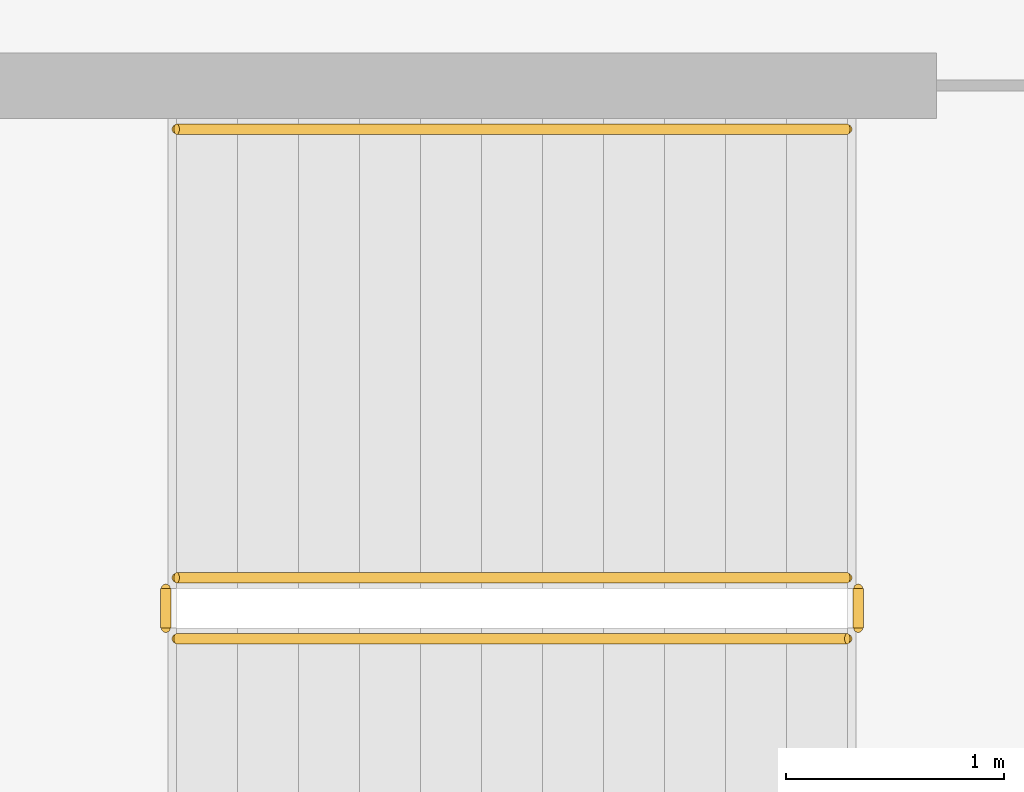
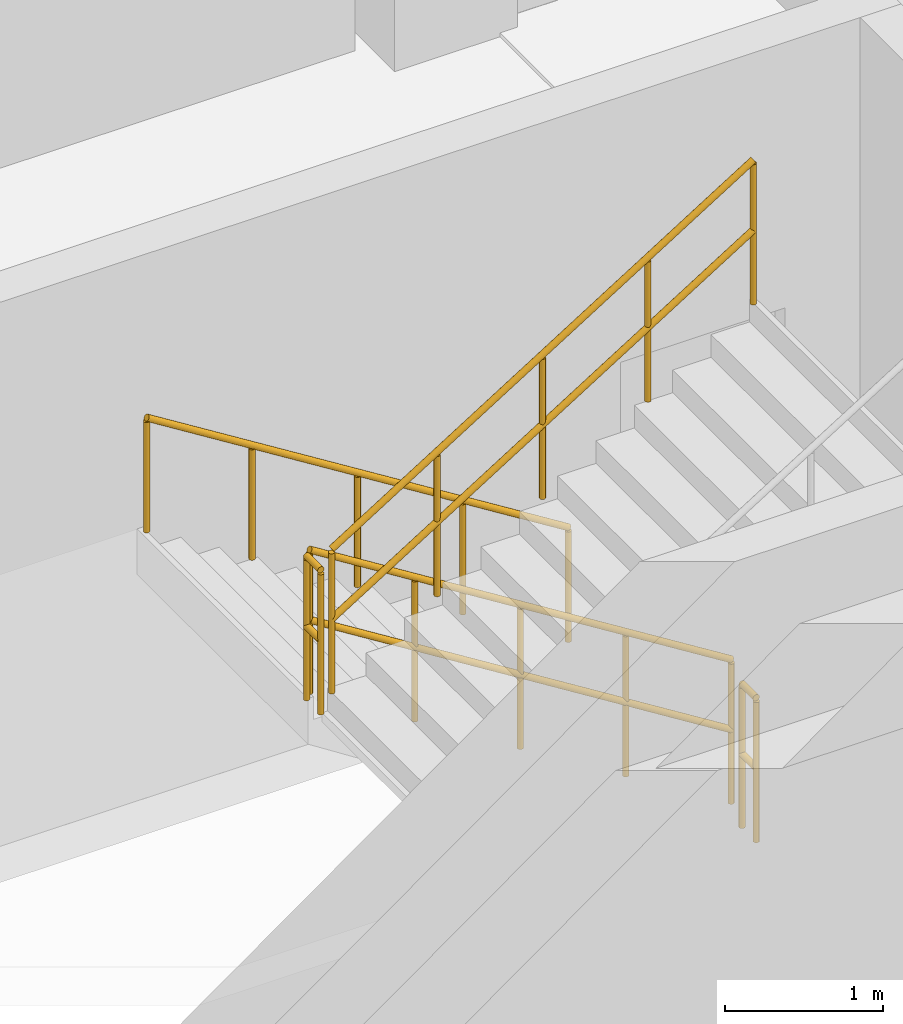
# One storey, part 90 of 100: 5 railings.
"""IFC4 building model written with IfcOpenShell, lengths in metres."""

from ifc_helpers import new_model, si_unit, direction, frame, origin, origin_2d, place, context, subcontext, project, spatial, circle, extrude, material, layer, layer_set, type_object, element, save


model = new_model("IFC4")

# Units and contexts
model_context = context("Model", 3, precision=1e-05, world=origin(), true_north=direction((0.0, 1.0)))
body_context = subcontext(model_context, "Body", "Model", "MODEL_VIEW")
ifc_project = project(units=[si_unit("LENGTHUNIT", "METRE"), si_unit("AREAUNIT", "SQUARE_METRE"), si_unit("VOLUMEUNIT", "CUBIC_METRE"), si_unit("PLANEANGLEUNIT", "RADIAN"), si_unit("MASSUNIT", "GRAM", prefix="KILO")], contexts=[model_context])

# Site, building, storey
site_placement = place(None, origin())
site = spatial("IfcSite", under=ifc_project, at=site_placement, CompositionType="ELEMENT")
building_placement = place(site_placement, origin())
building = spatial("IfcBuilding", under=site, at=building_placement, Name="Kivolera Central Railway Station", CompositionType="ELEMENT")
storey_placement = place(building_placement, frame((0.0, 0.0, 5.39990234375)))
storey = spatial("IfcBuildingStorey", under=building, at=storey_placement, Name="L01", CompositionType="ELEMENT", Elevation=5.39990234375)

# Railings
ifc_material = material(Name="Anodised aluminium", Category="aluminium")
ifc_layer_1 = layer(ifc_material, 0.048095703125, Name="Anodised aluminium")
ifc_layer_set_1 = layer_set([ifc_layer_1], Name="Anodised aluminium")
railing_type_1 = type_object("IfcRailingType", Name="RL-STAIR-GUARD", PredefinedType="GUARDRAIL", material=ifc_layer_set_1)
railing_1_placement = place(storey_placement, frame((125.239990234375, 57.2900390625, 0.175048828125)))
element("IfcRailing", 1, at=railing_1_placement, inside=storey, type_object=railing_type_1, Name="L01 ST4 stair guard 1", PredefinedType="GUARDRAIL", context=body_context, shape_type="SweptSolid", body=[
    extrude(circle(Radius=0.02392578125, at=origin_2d()), frame((0.0, 0.0, 1.10595703125), z_axis=(-0.847998304005, 0.0, 0.529998940003), x_axis=(0.0, -1.0, 0.0)), (0.0, 0.0, 1.0), 3.632080078125),
    extrude(circle(Radius=0.02392578125, at=origin_2d()), frame((0.0, 0.0, 0.56494140625), z_axis=(-0.847998304005, 0.0, 0.529998940003), x_axis=(0.0, -1.0, 0.0)), (0.0, 0.0, 1.0), 3.632080078125),
    extrude(circle(Radius=0.02099609375, at=origin_2d()), origin(), (0.0, 0.0, 1.0), 1.081787109375),
    extrude(circle(Radius=0.02099609375, at=origin_2d()), frame((-0.77001953125, 0.0, 0.481201171875)), (0.0, 0.0, 1.0), 1.081787109375),
    extrude(circle(Radius=0.02099609375, at=origin_2d()), frame((-1.5400390625, 0.0, 0.96240234375)), (0.0, 0.0, 1.0), 1.081787109375),
    extrude(circle(Radius=0.02099609375, at=origin_2d()), frame((-2.31005859375, 0.0, 1.44384765625)), (0.0, 0.0, 1.0), 1.081787109375),
    extrude(circle(Radius=0.02099609375, at=origin_2d()), frame((-3.080078125, 0.0, 1.925048828125)), (0.0, 0.0, 1.0), 1.081787109375),
])
railing_2_placement = place(storey_placement, frame((122.110107421875, 57.239990234375, 2.10009765625)))
element("IfcRailing", 2, at=railing_2_placement, inside=storey, type_object=railing_type_1, Name="L01 ST4 stair guard 2", PredefinedType="GUARDRAIL", context=body_context, shape_type="SweptSolid", body=[
    extrude(circle(Radius=0.02392578125, at=origin_2d()), frame((0.0, 0.0, 1.10595703125), z_axis=(0.0, -1.0, 0.0), x_axis=(1.0, 0.0, 0.0)), (0.0, 0.0, 1.0), 0.179931640625),
    extrude(circle(Radius=0.02392578125, at=origin_2d()), frame((0.0, 0.0, 0.56494140625), z_axis=(0.0, -1.0, 0.0), x_axis=(1.0, 0.0, 0.0)), (0.0, 0.0, 1.0), 0.179931640625),
    extrude(circle(Radius=0.02099609375, at=origin_2d()), origin(), (0.0, 0.0, 1.0), 1.081787109375),
    extrude(circle(Radius=0.02099609375, at=origin_2d()), frame((0.0, -0.179931640625, 0.0)), (0.0, 0.0, 1.0), 1.081787109375),
])
railing_3_placement = place(storey_placement, frame((122.159912109375, 57.010009765625, 2.275146484375)))
element("IfcRailing", 3, at=railing_3_placement, inside=storey, type_object=railing_type_1, Name="L01 ST4 stair guard 3", PredefinedType="GUARDRAIL", context=body_context, shape_type="SweptSolid", body=[
    extrude(circle(Radius=0.02392578125, at=origin_2d()), frame((0.0, 0.0, 1.10595703125), z_axis=(0.847998304005, 0.0, 0.529998940003), x_axis=(0.0, 1.0, 0.0)), (0.0, 0.0, 1.0), 3.632080078125),
    extrude(circle(Radius=0.02392578125, at=origin_2d()), frame((0.0, 0.0, 0.56494140625), z_axis=(0.847998304005, 0.0, 0.529998940003), x_axis=(0.0, 1.0, 0.0)), (0.0, 0.0, 1.0), 3.632080078125),
    extrude(circle(Radius=0.02099609375, at=origin_2d()), origin(), (0.0, 0.0, 1.0), 1.081787109375),
    extrude(circle(Radius=0.02099609375, at=origin_2d()), frame((0.77001953125, 0.0, 0.481201171875)), (0.0, 0.0, 1.0), 1.081787109375),
    extrude(circle(Radius=0.02099609375, at=origin_2d()), frame((1.5400390625, 0.0, 0.96240234375)), (0.0, 0.0, 1.0), 1.081787109375),
    extrude(circle(Radius=0.02099609375, at=origin_2d()), frame((2.31005859375, 0.0, 1.44384765625)), (0.0, 0.0, 1.0), 1.081787109375),
    extrude(circle(Radius=0.02099609375, at=origin_2d()), frame((3.080078125, 0.0, 1.925048828125)), (0.0, 0.0, 1.0), 1.081787109375),
])
railing_4_placement = place(storey_placement, frame((125.2900390625, 57.239990234375, 0.0)))
element("IfcRailing", 4, at=railing_4_placement, inside=storey, type_object=railing_type_1, Name="L01 ST4 stair guard 4", PredefinedType="GUARDRAIL", context=body_context, shape_type="SweptSolid", body=[
    extrude(circle(Radius=0.02392578125, at=origin_2d()), frame((0.0, 0.0, 1.10595703125), z_axis=(0.0, -1.0, 0.0), x_axis=(1.0, 0.0, 0.0)), (0.0, 0.0, 1.0), 0.179931640625),
    extrude(circle(Radius=0.02392578125, at=origin_2d()), frame((0.0, 0.0, 0.56494140625), z_axis=(0.0, -1.0, 0.0), x_axis=(1.0, 0.0, 0.0)), (0.0, 0.0, 1.0), 0.179931640625),
    extrude(circle(Radius=0.02099609375, at=origin_2d()), origin(), (0.0, 0.0, 1.0), 1.081787109375),
    extrude(circle(Radius=0.02099609375, at=origin_2d()), frame((0.0, -0.179931640625, 0.0)), (0.0, 0.0, 1.0), 1.081787109375),
])
ifc_layer_2 = layer(ifc_material, 0.048095703125, Name="Anodised aluminium")
ifc_layer_set_2 = layer_set([ifc_layer_2], Name="Anodised aluminium")
railing_type_2 = type_object("IfcRailingType", Name="RL-STAIR-HAND", PredefinedType="HANDRAIL", material=ifc_layer_set_2)
railing_5_placement = place(storey_placement, frame((125.239990234375, 59.35009765625, 0.175048828125)))
element("IfcRailing", 5, at=railing_5_placement, inside=storey, type_object=railing_type_2, Name="L01 ST4 stair handrail 1", PredefinedType="HANDRAIL", context=body_context, shape_type="SweptSolid", body=[
    extrude(circle(Radius=0.02392578125, at=origin_2d()), frame((0.0, 0.0, 0.8759765625), z_axis=(-0.847998304005, 0.0, 0.529998940003), x_axis=(0.0, -1.0, 0.0)), (0.0, 0.0, 1.0), 3.632080078125),
    extrude(circle(Radius=0.02099609375, at=origin_2d()), origin(), (0.0, 0.0, 1.0), 0.851806640625),
    extrude(circle(Radius=0.02099609375, at=origin_2d()), frame((-0.77001953125, 0.0, 0.481201171875)), (0.0, 0.0, 1.0), 0.851806640625),
    extrude(circle(Radius=0.02099609375, at=origin_2d()), frame((-1.5400390625, 0.0, 0.96240234375)), (0.0, 0.0, 1.0), 0.851806640625),
    extrude(circle(Radius=0.02099609375, at=origin_2d()), frame((-2.31005859375, 0.0, 1.44384765625)), (0.0, 0.0, 1.0), 0.851806640625),
    extrude(circle(Radius=0.02099609375, at=origin_2d()), frame((-3.080078125, 0.0, 1.925048828125)), (0.0, 0.0, 1.0), 0.851806640625),
])

save(model, "model.ifc")
